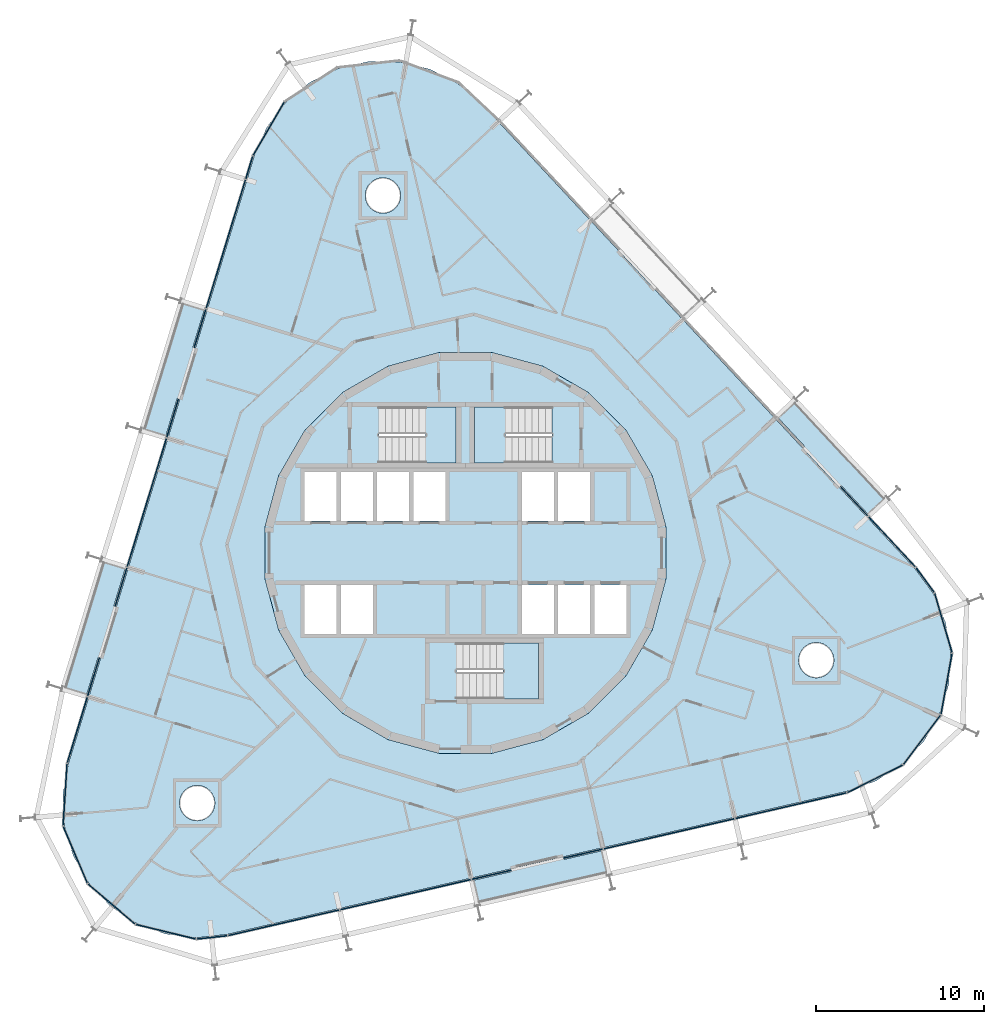
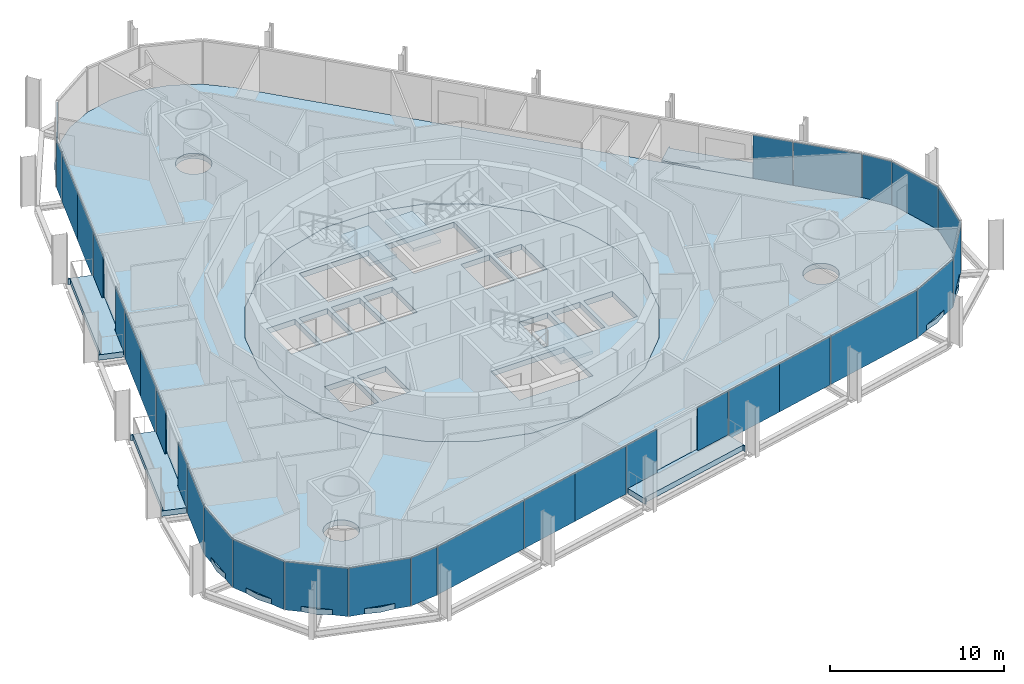
# One storey, part 10 of 18: 31 plates, 9 slabs, 9 elements without a shape of their own.
"""IFC4 building model written with IfcOpenShell, lengths in metres."""

from ifc_helpers import new_model, si_unit, direction, frame, origin, origin_2d, place, context, subcontext, project, spatial, polyline, rectangle, outline, extrude, material, layer, layer_set, type_object, element, aggregate, save


model = new_model("IFC4")

# Units and contexts
model_context = context("Model", 3, precision=1e-05, world=origin(), true_north=direction((0.0, 1.0)))
body_context = subcontext(model_context, "Body", "Model", "MODEL_VIEW")
ifc_project = project(units=[si_unit("LENGTHUNIT", "METRE"), si_unit("AREAUNIT", "SQUARE_METRE"), si_unit("VOLUMEUNIT", "CUBIC_METRE"), si_unit("PLANEANGLEUNIT", "RADIAN"), si_unit("MASSUNIT", "GRAM", prefix="KILO")], contexts=[model_context])

# Site, building, storey
site_placement = place(None, origin())
site = spatial("IfcSite", under=ifc_project, at=site_placement, CompositionType="ELEMENT")
building_placement = place(site_placement, origin())
building = spatial("IfcBuilding", under=site, at=building_placement, Name="Spindle Arch Residences", CompositionType="ELEMENT")
storey_placement = place(building_placement, frame((0.0, 0.0, 130.89990234375)))
storey = spatial("IfcBuildingStorey", under=building, at=storey_placement, Name="L32", CompositionType="ELEMENT", Elevation=130.89990234375)

# Slabs
ifc_material_1 = material(Name="Concrete C40/50", Category="concrete")
ifc_layer_1 = layer(ifc_material_1, 0.3798828125)
ifc_layer_set_1 = layer_set([ifc_layer_1], Name="Balcony slab 380")
slab_type_1 = type_object("IfcSlabType", Name="Balcony slab 380", PredefinedType="FLOOR", material=ifc_layer_set_1)
slab_1_placement = place(storey_placement, frame((0.0, 0.0, -0.3798828125)))
element("IfcSlab", 1, at=slab_1_placement, inside=storey, type_object=slab_type_1, Name="Balcony L32 bay 6", PredefinedType="FLOOR", context=body_context, shape_type="SweptSolid", body=[
    extrude(outline(polyline([(25.0107421875, 3.298095703125), (24.95947265625, 3.35302734375), (24.849853515625, 3.250732421875), (19.57861328125, 8.9033203125), (19.688232421875, 9.005615234375), (19.636962890625, 9.060546875), (18.54736328125, 8.04443359375), (20.142822265625, 6.333251953125), (20.02587890625, 6.22412109375), (22.208251953125, 3.8837890625), (22.325439453125, 3.992919921875), (23.9208984375, 2.281982421875), (25.0107421875, 3.298095703125)])), origin(), (0.0, 0.0, 1.0), 0.3798828125),
])
slab_2_placement = place(storey_placement, frame((0.0, 0.0, -0.3798828125)))
element("IfcSlab", 2, at=slab_2_placement, inside=storey, type_object=slab_type_1, Name="Balcony L32 bay 14", PredefinedType="FLOOR", context=body_context, shape_type="SweptSolid", body=[
    extrude(outline(polyline([(-16.926513671875, 14.891845703125), (-16.948486328125, 14.820068359375), (-16.804931640625, 14.7763671875), (-19.064697265625, 7.385009765625), (-19.208251953125, 7.4287109375), (-19.230224609375, 7.35693359375), (-17.80517578125, 6.92138671875), (-17.121337890625, 9.15869140625), (-16.96826171875, 9.112060546875), (-16.03271484375, 12.172119140625), (-16.185791015625, 12.218994140625), (-15.501708984375, 14.456298828125), (-16.926513671875, 14.891845703125)])), origin(), (0.0, 0.0, 1.0), 0.3798828125),
])
slab_3_placement = place(storey_placement, frame((0.0, 0.0, -0.3798828125)))
element("IfcSlab", 3, at=slab_3_placement, inside=storey, type_object=slab_type_1, Name="Balcony L32 bay 16", PredefinedType="FLOOR", context=body_context, shape_type="SweptSolid", body=[
    extrude(outline(polyline([(-21.62158203125, -0.46484375), (-21.6435546875, -0.536376953125), (-21.5, -0.580322265625), (-23.759765625, -7.9716796875), (-23.9033203125, -7.927978515625), (-23.92529296875, -7.999755859375), (-22.500244140625, -8.435302734375), (-21.816162109375, -6.197998046875), (-21.663330078125, -6.24462890625), (-20.727783203125, -3.1845703125), (-20.880615234375, -3.1376953125), (-20.196533203125, -0.900390625), (-21.62158203125, -0.46484375)])), origin(), (0.0, 0.0, 1.0), 0.3798828125),
])
slab_4_placement = place(storey_placement, frame((0.0, 0.0, -0.3798828125)))
element("IfcSlab", 4, at=slab_4_placement, inside=storey, type_object=slab_type_1, Name="Balcony L32 bay 22", PredefinedType="FLOOR", context=body_context, shape_type="SweptSolid", body=[
    extrude(outline(polyline([(0.781982421875, -20.900634765625), (0.855224609375, -20.8837890625), (0.821533203125, -20.737548828125), (8.3525390625, -18.9990234375), (8.38623046875, -19.14501953125), (8.459228515625, -19.128173828125), (8.1240234375, -17.676513671875), (5.844482421875, -18.20263671875), (5.80859375, -18.046875), (2.6904296875, -18.7666015625), (2.7265625, -18.922607421875), (0.447021484375, -19.44873046875), (0.781982421875, -20.900634765625)])), origin(), (0.0, 0.0, 1.0), 0.3798828125),
])
ifc_material_2 = material(Name="Concrete C50/60", Category="concrete")
ifc_layer_2 = layer(ifc_material_2, 0.3798828125)
ifc_layer_set_2 = layer_set([ifc_layer_2], Name="Core floor slab 380")
slab_type_2 = type_object("IfcSlabType", Name="Core floor slab 380", PredefinedType="FLOOR", material=ifc_layer_set_2)
slab_5_placement = place(storey_placement, frame((0.0, 0.0, -0.3798828125)))
element("IfcSlab", 5, at=slab_5_placement, inside=storey, type_object=slab_type_2, Name="Core floor L32", PredefinedType="FLOOR", context=body_context, shape_type="SweptSolid", body=[
    extrude(outline(polyline([(1.56640625, -11.897216796875), (4.59228515625, -11.086669921875), (7.30517578125, -9.520263671875), (9.520263671875, -7.30517578125), (11.086669921875, -4.59228515625), (11.897216796875, -1.56640625), (11.897216796875, 1.56640625), (11.086669921875, 4.59228515625), (9.520263671875, 7.30517578125), (7.30517578125, 9.520263671875), (4.59228515625, 11.086669921875), (1.56640625, 11.897216796875), (-1.56640625, 11.897216796875), (-4.59228515625, 11.086669921875), (-7.30517578125, 9.520263671875), (-9.520263671875, 7.30517578125), (-11.086669921875, 4.59228515625), (-11.897216796875, 1.56640625), (-11.897216796875, -1.56640625), (-11.086669921875, -4.59228515625), (-9.520263671875, -7.30517578125), (-7.30517578125, -9.520263671875), (-4.59228515625, -11.086669921875), (-1.56640625, -11.897216796875), (1.56640625, -11.897216796875)]), holes=[polyline([(-9.550048828125, 1.89990234375), (-7.64990234375, 1.89990234375), (-7.64990234375, 4.800048828125), (-9.550048828125, 4.800048828125), (-9.550048828125, 1.89990234375)]), polyline([(-7.39990234375, 1.89990234375), (-5.5, 1.89990234375), (-5.5, 4.800048828125), (-7.39990234375, 4.800048828125), (-7.39990234375, 1.89990234375)]), polyline([(-5.25, 1.89990234375), (-3.35009765625, 1.89990234375), (-3.35009765625, 4.800048828125), (-5.25, 4.800048828125), (-5.25, 1.89990234375)]), polyline([(-3.10009765625, 1.89990234375), (-1.199951171875, 1.89990234375), (-1.199951171875, 4.800048828125), (-3.10009765625, 4.800048828125), (-3.10009765625, 1.89990234375)]), polyline([(3.35009765625, 1.89990234375), (5.25, 1.89990234375), (5.25, 4.800048828125), (3.35009765625, 4.800048828125), (3.35009765625, 1.89990234375)]), polyline([(5.5, 1.89990234375), (7.39990234375, 1.89990234375), (7.39990234375, 4.800048828125), (5.5, 4.800048828125), (5.5, 1.89990234375)]), polyline([(-9.550048828125, -4.800048828125), (-7.64990234375, -4.800048828125), (-7.64990234375, -1.89990234375), (-9.550048828125, -1.89990234375), (-9.550048828125, -4.800048828125)]), polyline([(-7.39990234375, -4.800048828125), (-5.5, -4.800048828125), (-5.5, -1.89990234375), (-7.39990234375, -1.89990234375), (-7.39990234375, -4.800048828125)]), polyline([(3.35009765625, -4.800048828125), (5.25, -4.800048828125), (5.25, -1.89990234375), (3.35009765625, -1.89990234375), (3.35009765625, -4.800048828125)]), polyline([(5.5, -4.800048828125), (7.39990234375, -4.800048828125), (7.39990234375, -1.89990234375), (5.5, -1.89990234375), (5.5, -4.800048828125)]), polyline([(7.64990234375, -4.800048828125), (9.550048828125, -4.800048828125), (9.550048828125, -1.89990234375), (7.64990234375, -1.89990234375), (7.64990234375, -4.800048828125)]), polyline([(5.1298828125, 8.669921875), (0.550048828125, 8.669921875), (0.550048828125, 5.35009765625), (5.1298828125, 5.35009765625), (5.1298828125, 8.669921875)]), polyline([(-5.1298828125, 5.35009765625), (-0.550048828125, 5.35009765625), (-0.550048828125, 8.669921875), (-5.1298828125, 8.669921875), (-5.1298828125, 5.35009765625)]), polyline([(-0.530029296875, -8.669921875), (4.35009765625, -8.669921875), (4.35009765625, -5.35009765625), (-0.530029296875, -5.35009765625), (-0.530029296875, -8.669921875)])]), origin(), (0.0, 0.0, 1.0), 0.3798828125),
])

# Stair, slab
ifc_material_3 = material(Name="Concrete C50/60", Category="concrete")
stair_type = type_object("IfcStairType", Name="Exit stair 16 risers", PredefinedType="HALF_TURN_STAIR", material=ifc_material_3)
stair_1_placement = place(storey_placement, origin())
stair_1 = element("IfcStair", 6, at=stair_1_placement, inside=storey, type_object=stair_type, Name="L32 Exit stair ST1", PredefinedType="HALF_TURN_STAIR")
ifc_material_4 = material(Name="Concrete C50/60", Category="concrete")
ifc_layer_3 = layer(ifc_material_4, 0.219970703125)
ifc_layer_set_3 = layer_set([ifc_layer_3], Name="Exit stair landing 220")
slab_type_3 = type_object("IfcSlabType", Name="Exit stair landing 220", PredefinedType="LANDING", material=ifc_layer_set_3)
slab_6_placement = place(storey_placement, frame((0.0, 0.0, 1.530029296875)))
slab_6 = element("IfcSlab", 7, at=slab_6_placement, type_object=slab_type_3, Name="ST1 landing 1", PredefinedType="LANDING", context=body_context, shape_type="SweptSolid", body=[
    extrude(outline(polyline([(2.3701171875, 8.669921875), (0.550048828125, 8.669921875), (0.550048828125, 5.35009765625), (2.3701171875, 5.35009765625), (2.3701171875, 8.669921875)])), origin(), (0.0, 0.0, 1.0), 0.219970703125),
])
aggregate(stair_1, [slab_6])

stair_2_placement = place(storey_placement, origin())
stair_2 = element("IfcStair", 8, at=stair_2_placement, inside=storey, type_object=stair_type, Name="L32 Exit stair ST2", PredefinedType="HALF_TURN_STAIR")
slab_7_placement = place(storey_placement, frame((0.0, 0.0, 1.530029296875)))
slab_7 = element("IfcSlab", 9, at=slab_7_placement, type_object=slab_type_3, Name="ST2 landing 1", PredefinedType="LANDING", context=body_context, shape_type="SweptSolid", body=[
    extrude(outline(polyline([(-2.3701171875, 5.35009765625), (-0.550048828125, 5.35009765625), (-0.550048828125, 8.669921875), (-2.3701171875, 8.669921875), (-2.3701171875, 5.35009765625)])), origin(), (0.0, 0.0, 1.0), 0.219970703125),
])
aggregate(stair_2, [slab_7])

stair_3_placement = place(storey_placement, origin())
stair_3 = element("IfcStair", 10, at=stair_3_placement, inside=storey, type_object=stair_type, Name="L32 Exit stair ST3", PredefinedType="HALF_TURN_STAIR")
slab_8_placement = place(storey_placement, frame((0.0, 0.0, 1.530029296875)))
slab_8 = element("IfcSlab", 11, at=slab_8_placement, type_object=slab_type_3, Name="ST3 landing 1", PredefinedType="LANDING", context=body_context, shape_type="SweptSolid", body=[
    extrude(outline(polyline([(2.22998046875, -8.669921875), (4.35009765625, -8.669921875), (4.35009765625, -5.35009765625), (2.22998046875, -5.35009765625), (2.22998046875, -8.669921875)])), origin(), (0.0, 0.0, 1.0), 0.219970703125),
])
aggregate(stair_3, [slab_8])

# Slab
ifc_material_5 = material(Name="Concrete C40/50", Category="concrete")
ifc_layer_4 = layer(ifc_material_5, 0.3798828125)
ifc_layer_set_4 = layer_set([ifc_layer_4], Name="Floor slab 380")
slab_type_4 = type_object("IfcSlabType", Name="Floor slab 380", PredefinedType="FLOOR", material=ifc_layer_set_4)
slab_9_placement = place(storey_placement, frame((0.0, 0.0, -0.3798828125)))
element("IfcSlab", 12, at=slab_9_placement, inside=storey, type_object=slab_type_4, Name="Floor slab L32", PredefinedType="FLOOR", context=body_context, shape_type="SweptSolid", body=[
    extrude(outline(polyline([(-15.976806640625, -22.85498046875), (-17.8203125, -22.628662109375), (-19.56201171875, -21.983154296875), (-21.108154296875, -20.95361328125), (-22.375, -19.594970703125), (-23.294189453125, -17.98095703125), (-23.816650390625, -16.198486328125), (-23.913818359375, -14.343505859375), (-23.58056640625, -12.51611328125), (-12.55029296875, 23.5625), (-11.8046875, 25.263916015625), (-10.686767578125, 26.747314453125), (-9.257080078125, 27.932861328125), (-7.59228515625, 28.7568359375), (-5.7822265625, 29.1748046875), (-3.9248046875, 29.163818359375), (-2.1201171875, 28.72509765625), (-0.465087890625, 27.881591796875), (0.950927734375, 26.679443359375), (26.680908203125, -0.912353515625), (27.781494140625, -2.40869140625), (28.507080078125, -4.11865234375), (28.819091796875, -5.94970703125), (28.7001953125, -7.803466796875), (28.1572265625, -9.57958984375), (27.218994140625, -11.182861328125), (25.9365234375, -12.526611328125), (24.37890625, -13.5380859375), (22.629638671875, -14.163330078125), (4.24951171875, -18.40673828125), (-14.130615234375, -22.650146484375), (-15.976806640625, -22.85498046875)]), holes=[polyline([(7.30517578125, -9.520263671875), (9.520263671875, -7.30517578125), (11.086669921875, -4.59228515625), (11.897216796875, -1.56640625), (11.897216796875, 1.56640625), (11.086669921875, 4.59228515625), (9.520263671875, 7.30517578125), (7.30517578125, 9.520263671875), (4.59228515625, 11.086669921875), (1.56640625, 11.897216796875), (-1.56640625, 11.897216796875), (-4.59228515625, 11.086669921875), (-7.30517578125, 9.520263671875), (-9.520263671875, 7.30517578125), (-11.086669921875, 4.59228515625), (-11.897216796875, 1.56640625), (-11.897216796875, -1.56640625), (-11.086669921875, -4.59228515625), (-9.520263671875, -7.30517578125), (-7.30517578125, -9.520263671875), (-4.59228515625, -11.086669921875), (-1.56640625, -11.897216796875), (1.56640625, -11.897216796875), (4.59228515625, -11.086669921875), (7.30517578125, -9.520263671875)]), polyline([(-15.187744140625, -15.59765625), (-15.05712890625, -15.4384765625), (-14.960205078125, -15.257080078125), (-14.900390625, -15.06005859375), (-14.880126953125, -14.855224609375), (-14.900390625, -14.650390625), (-14.960205078125, -14.453369140625), (-15.05712890625, -14.27197265625), (-15.187744140625, -14.11279296875), (-15.346923828125, -13.982177734375), (-15.5283203125, -13.885009765625), (-15.725341796875, -13.825439453125), (-15.93017578125, -13.80517578125), (-16.135009765625, -13.825439453125), (-16.33203125, -13.885009765625), (-16.513427734375, -13.982177734375), (-16.672607421875, -14.11279296875), (-16.80322265625, -14.27197265625), (-16.900390625, -14.453369140625), (-16.9599609375, -14.650390625), (-16.980224609375, -14.855224609375), (-16.9599609375, -15.06005859375), (-16.900390625, -15.257080078125), (-16.80322265625, -15.4384765625), (-16.672607421875, -15.59765625), (-16.513427734375, -15.728271484375), (-16.33203125, -15.8251953125), (-16.135009765625, -15.885009765625), (-15.93017578125, -15.9052734375), (-15.725341796875, -15.885009765625), (-15.5283203125, -15.8251953125), (-15.346923828125, -15.728271484375), (-15.187744140625, -15.59765625)]), polyline([(-4.02685546875, 20.64013671875), (-3.9296875, 20.82177734375), (-3.8701171875, 21.018798828125), (-3.849853515625, 21.223388671875), (-3.8701171875, 21.42822265625), (-3.9296875, 21.625244140625), (-4.02685546875, 21.806884765625), (-4.1572265625, 21.966064453125), (-4.31640625, 22.096435546875), (-4.498046875, 22.193603515625), (-4.695068359375, 22.25341796875), (-4.89990234375, 22.2734375), (-5.1044921875, 22.25341796875), (-5.301513671875, 22.193603515625), (-5.483154296875, 22.096435546875), (-5.642333984375, 21.966064453125), (-5.772705078125, 21.806884765625), (-5.869873046875, 21.625244140625), (-5.9296875, 21.42822265625), (-5.94970703125, 21.223388671875), (-5.9296875, 21.018798828125), (-5.869873046875, 20.82177734375), (-5.772705078125, 20.64013671875), (-5.642333984375, 20.48095703125), (-5.483154296875, 20.3505859375), (-5.301513671875, 20.25341796875), (-5.1044921875, 20.193603515625), (-4.89990234375, 20.173583984375), (-4.695068359375, 20.193603515625), (-4.498046875, 20.25341796875), (-4.31640625, 20.3505859375), (-4.1572265625, 20.48095703125), (-4.02685546875, 20.64013671875)]), polyline([(21.702880859375, -6.95166015625), (21.800048828125, -6.770263671875), (21.85986328125, -6.5732421875), (21.8798828125, -6.368408203125), (21.85986328125, -6.16357421875), (21.800048828125, -5.966552734375), (21.702880859375, -5.78515625), (21.572509765625, -5.6259765625), (21.413330078125, -5.495361328125), (21.231689453125, -5.398193359375), (21.034912109375, -5.338623046875), (20.830078125, -5.318359375), (20.625244140625, -5.338623046875), (20.42822265625, -5.398193359375), (20.24658203125, -5.495361328125), (20.08740234375, -5.6259765625), (19.95703125, -5.78515625), (19.85986328125, -5.966552734375), (19.80029296875, -6.16357421875), (19.780029296875, -6.368408203125), (19.80029296875, -6.5732421875), (19.85986328125, -6.770263671875), (19.95703125, -6.95166015625), (20.08740234375, -7.11083984375), (20.24658203125, -7.241455078125), (20.42822265625, -7.33837890625), (20.625244140625, -7.398193359375), (20.830078125, -7.41845703125), (21.034912109375, -7.398193359375), (21.231689453125, -7.33837890625), (21.413330078125, -7.241455078125), (21.572509765625, -7.11083984375), (21.702880859375, -6.95166015625)])]), origin(), (0.0, 0.0, 1.0), 0.3798828125),
])

# Curtain wall, plates
ifc_material_6 = material(Name="Aluminium bronze unitised frame with tinted glass", Category="aluminium")
ifc_layer_5 = layer(ifc_material_6, 0.159912109375)
ifc_layer_set_5 = layer_set([ifc_layer_5], Name="CW-D corner wall on the fillet arcs")
curtain_wall_type_1 = type_object("IfcCurtainWallType", Name="CW-D corner wall on the fillet arcs", PredefinedType="NOTDEFINED", material=ifc_layer_set_5)
curtain_wall_1_placement = place(storey_placement, origin())
curtain_wall_1 = element("IfcCurtainWall", 13, at=curtain_wall_1_placement, inside=storey, type_object=curtain_wall_type_1, Name="CW-D L32 run 1", PredefinedType="NOTDEFINED")
ifc_material_7 = material(Name="Tinted double glazing over aluminium faced non-combustible spandrel zone (K0)", Category="aluminium")
ifc_layer_6 = layer(ifc_material_7, 0.06005859375)
ifc_layer_set_6 = layer_set([ifc_layer_6], Name="Unitised glass panel with E 60 spandrel zone")
plate_type = type_object("IfcPlateType", Name="Unitised glass panel with E 60 spandrel zone", PredefinedType="CURTAIN_PANEL", material=ifc_layer_set_6)
plate_1_placement = place(storey_placement, frame((19.3251953125, -15.00830078125, -0.3798828125), z_axis=(0.0, 0.0, 1.0), x_axis=(0.974370064785, 0.224951054344, 0.0)))
plate_1 = element("IfcPlate", 14, at=plate_1_placement, type_object=plate_type, Name="CW-D unit 00", PredefinedType="CURTAIN_PANEL", context=body_context, shape_type="SweptSolid", body=[
    extrude(rectangle(XDim=6.759765625, YDim=0.06005859375, at=origin_2d()), origin(), (0.0, 0.0, 1.0), 3.3798828125),
])
plate_2_placement = place(storey_placement, frame((24.317626953125, -13.414794921875, -0.3798828125), z_axis=(0.0, 0.0, 1.0), x_axis=(0.896228507614, 0.443592675931, 0.0)))
plate_2 = element("IfcPlate", 15, at=plate_2_placement, type_object=plate_type, Name="CW-D unit 01", PredefinedType="CURTAIN_PANEL", context=body_context, shape_type="SweptSolid", body=[
    extrude(rectangle(XDim=3.666748046875, YDim=0.06005859375, at=origin_2d()), origin(), (0.0, 0.0, 1.0), 3.3798828125),
])
plate_3_placement = place(storey_placement, frame((27.109130859375, -11.099853515625, -0.3798828125), z_axis=(0.0, 0.0, 1.0), x_axis=(0.601815021814, 0.798635511056, 0.0)))
plate_3 = element("IfcPlate", 16, at=plate_3_placement, type_object=plate_type, Name="CW-D unit 02", PredefinedType="CURTAIN_PANEL", context=body_context, shape_type="SweptSolid", body=[
    extrude(rectangle(XDim=3.666748046875, YDim=0.06005859375, at=origin_2d()), origin(), (0.0, 0.0, 1.0), 3.3798828125),
])
plate_4_placement = place(storey_placement, frame((28.564697265625, -7.778564453125, -0.3798828125), z_axis=(0.0, 0.0, 1.0), x_axis=(0.17937458782, 0.983780848179, 0.0)))
plate_4 = element("IfcPlate", 17, at=plate_4_placement, type_object=plate_type, Name="CW-D unit 03", PredefinedType="CURTAIN_PANEL", context=body_context, shape_type="SweptSolid", body=[
    extrude(rectangle(XDim=3.666748046875, YDim=0.06005859375, at=origin_2d()), origin(), (0.0, 0.0, 1.0), 3.3798828125),
])
plate_5_placement = place(storey_placement, frame((28.375, -4.1572265625, -0.3798828125), z_axis=(0.0, 0.0, 1.0), x_axis=(-0.281225052549, 0.959641844554, 0.0)))
plate_5 = element("IfcPlate", 18, at=plate_5_placement, type_object=plate_type, Name="CW-D unit 04", PredefinedType="CURTAIN_PANEL", context=body_context, shape_type="SweptSolid", body=[
    extrude(rectangle(XDim=3.666748046875, YDim=0.06005859375, at=origin_2d()), origin(), (0.0, 0.0, 1.0), 3.3798828125),
])
plate_6_placement = place(storey_placement, frame((27.295166015625, -1.613525390625, -0.3798828125), z_axis=(0.0, 0.0, 1.0), x_axis=(-0.592481951039, 0.805583724819, 0.0)))
plate_6 = element("IfcPlate", 19, at=plate_6_placement, type_object=plate_type, Name="CW-D unit 05", PredefinedType="CURTAIN_PANEL", context=body_context, shape_type="SweptSolid", body=[
    extrude(rectangle(XDim=1.816162109375, YDim=0.06005859375, at=origin_2d()), origin(), (0.0, 0.0, 1.0), 3.3798828125),
])
plate_7_placement = place(storey_placement, frame((25.326416015625, 0.6572265625, -0.3798828125), z_axis=(0.0, 0.0, 1.0), x_axis=(-0.681998360062, 0.731353701619, 0.0)))
plate_7 = element("IfcPlate", 20, at=plate_7_placement, type_object=plate_type, Name="CW-D unit 06", PredefinedType="CURTAIN_PANEL", context=body_context, shape_type="SweptSolid", body=[
    extrude(rectangle(XDim=4.08349609375, YDim=0.06005859375, at=origin_2d()), origin(), (0.0, 0.0, 1.0), 3.3798828125),
])
aggregate(curtain_wall_1, [plate_1, plate_2, plate_3, plate_4, plate_5, plate_6, plate_7])

# Curtain wall, plate
ifc_material_8 = material(Name="Aluminium bronze unitised frame with tinted glass", Category="aluminium")
ifc_layer_7 = layer(ifc_material_8, 0.159912109375)
ifc_layer_set_7 = layer_set([ifc_layer_7], Name="CW-C typical residential unitised wall")
curtain_wall_type_2 = type_object("IfcCurtainWallType", Name="CW-C typical residential unitised wall", PredefinedType="NOTDEFINED", material=ifc_layer_set_7)
curtain_wall_2_placement = place(storey_placement, origin())
curtain_wall_2 = element("IfcCurtainWall", 21, at=curtain_wall_2_placement, inside=storey, type_object=curtain_wall_type_2, Name="CW-C L32 run 2", PredefinedType="NOTDEFINED")
plate_8_placement = place(storey_placement, frame((23.079833984375, 3.06640625, -0.3798828125), z_axis=(0.0, 0.0, 1.0), x_axis=(-0.681998360062, 0.731353701619, 0.0)))
plate_8 = element("IfcPlate", 22, at=plate_8_placement, type_object=plate_type, Name="CW-C unit 05L", PredefinedType="CURTAIN_PANEL", context=body_context, shape_type="SweptSolid", body=[
    extrude(rectangle(XDim=2.384521484375, YDim=0.06005859375, at=origin_2d()), origin(), (0.0, 0.0, 1.0), 3.3798828125),
])
aggregate(curtain_wall_2, [plate_8])

# Curtain wall, plates
curtain_wall_3_placement = place(storey_placement, origin())
curtain_wall_3 = element("IfcCurtainWall", 23, at=curtain_wall_3_placement, inside=storey, type_object=curtain_wall_type_1, Name="CW-D L32 run 3", PredefinedType="NOTDEFINED")
plate_9_placement = place(storey_placement, frame((-11.685791015625, 25.194091796875, -0.3798828125), z_axis=(0.0, 0.0, 1.0), x_axis=(-0.505029844161, -0.863101880723, 0.0)))
plate_9 = element("IfcPlate", 24, at=plate_9_placement, type_object=plate_type, Name="CW-D unit 04", PredefinedType="CURTAIN_PANEL", context=body_context, shape_type="SweptSolid", body=[
    extrude(rectangle(XDim=3.666748046875, YDim=0.06005859375, at=origin_2d()), origin(), (0.0, 0.0, 1.0), 3.3798828125),
])
plate_10_placement = place(storey_placement, frame((-12.84130859375, 22.884521484375, -0.3798828125), z_axis=(0.0, 0.0, 1.0), x_axis=(-0.292371704723, -0.956304755963, 0.0)))
plate_10 = element("IfcPlate", 25, at=plate_10_placement, type_object=plate_type, Name="CW-D unit 05", PredefinedType="CURTAIN_PANEL", context=body_context, shape_type="SweptSolid", body=[
    extrude(rectangle(XDim=1.406982421875, YDim=0.06005859375, at=origin_2d()), origin(), (0.0, 0.0, 1.0), 3.3798828125),
])
aggregate(curtain_wall_3, [plate_9, plate_10])

curtain_wall_4_placement = place(storey_placement, origin())
curtain_wall_4 = element("IfcCurtainWall", 26, at=curtain_wall_4_placement, inside=storey, type_object=curtain_wall_type_2, Name="CW-C L32 run 4", PredefinedType="NOTDEFINED")
plate_11_placement = place(storey_placement, frame((-13.64697265625, 20.2490234375, -0.3798828125), z_axis=(0.0, 0.0, 1.0), x_axis=(-0.292371704723, -0.956304755963, 0.0)))
plate_11 = element("IfcPlate", 27, at=plate_11_placement, type_object=plate_type, Name="CW-C unit 12A", PredefinedType="CURTAIN_PANEL", context=body_context, shape_type="SweptSolid", body=[
    extrude(rectangle(XDim=3.984619140625, YDim=0.06005859375, at=origin_2d()), origin(), (0.0, 0.0, 1.0), 3.3798828125),
])
plate_12_placement = place(storey_placement, frame((-14.81201171875, 16.4384765625, -0.3798828125), z_axis=(0.0, 0.0, 1.0), x_axis=(-0.292371704723, -0.956304755963, 0.0)))
plate_12 = element("IfcPlate", 28, at=plate_12_placement, type_object=plate_type, Name="CW-C unit 12B", PredefinedType="CURTAIN_PANEL", context=body_context, shape_type="SweptSolid", body=[
    extrude(rectangle(XDim=3.984619140625, YDim=0.06005859375, at=origin_2d()), origin(), (0.0, 0.0, 1.0), 3.3798828125),
])
plate_13_placement = place(storey_placement, frame((-15.760498046875, 13.335693359375, -0.3798828125), z_axis=(0.0, 0.0, 1.0), x_axis=(-0.292371704723, -0.956304755963, 0.0)))
plate_13 = element("IfcPlate", 29, at=plate_13_placement, type_object=plate_type, Name="CW-C unit 13L", PredefinedType="CURTAIN_PANEL", context=body_context, shape_type="SweptSolid", body=[
    extrude(rectangle(XDim=2.384521484375, YDim=0.06005859375, at=origin_2d()), origin(), (0.0, 0.0, 1.0), 3.3798828125),
])
plate_14_placement = place(storey_placement, frame((-17.393310546875, 7.9951171875, -0.3798828125), z_axis=(0.0, 0.0, 1.0), x_axis=(-0.292371704723, -0.956304755963, 0.0)))
plate_14 = element("IfcPlate", 30, at=plate_14_placement, type_object=plate_type, Name="CW-C unit 13R", PredefinedType="CURTAIN_PANEL", context=body_context, shape_type="SweptSolid", body=[
    extrude(rectangle(XDim=2.384521484375, YDim=0.06005859375, at=origin_2d()), origin(), (0.0, 0.0, 1.0), 3.3798828125),
])
plate_15_placement = place(storey_placement, frame((-18.342041015625, 4.892333984375, -0.3798828125), z_axis=(0.0, 0.0, 1.0), x_axis=(-0.292371704723, -0.956304755963, 0.0)))
plate_15 = element("IfcPlate", 31, at=plate_15_placement, type_object=plate_type, Name="CW-C unit 14A", PredefinedType="CURTAIN_PANEL", context=body_context, shape_type="SweptSolid", body=[
    extrude(rectangle(XDim=3.984619140625, YDim=0.06005859375, at=origin_2d()), origin(), (0.0, 0.0, 1.0), 3.3798828125),
])
plate_16_placement = place(storey_placement, frame((-19.5068359375, 1.081787109375, -0.3798828125), z_axis=(0.0, 0.0, 1.0), x_axis=(-0.292371704723, -0.956304755963, 0.0)))
plate_16 = element("IfcPlate", 32, at=plate_16_placement, type_object=plate_type, Name="CW-C unit 14B", PredefinedType="CURTAIN_PANEL", context=body_context, shape_type="SweptSolid", body=[
    extrude(rectangle(XDim=3.984619140625, YDim=0.06005859375, at=origin_2d()), origin(), (0.0, 0.0, 1.0), 3.3798828125),
])
plate_17_placement = place(storey_placement, frame((-20.45556640625, -2.02099609375, -0.3798828125), z_axis=(0.0, 0.0, 1.0), x_axis=(-0.292371704723, -0.956304755963, 0.0)))
plate_17 = element("IfcPlate", 33, at=plate_17_placement, type_object=plate_type, Name="CW-C unit 15L", PredefinedType="CURTAIN_PANEL", context=body_context, shape_type="SweptSolid", body=[
    extrude(rectangle(XDim=2.384521484375, YDim=0.06005859375, at=origin_2d()), origin(), (0.0, 0.0, 1.0), 3.3798828125),
])
plate_18_placement = place(storey_placement, frame((-22.08837890625, -7.361572265625, -0.3798828125), z_axis=(0.0, 0.0, 1.0), x_axis=(-0.292371704723, -0.956304755963, 0.0)))
plate_18 = element("IfcPlate", 34, at=plate_18_placement, type_object=plate_type, Name="CW-C unit 15R", PredefinedType="CURTAIN_PANEL", context=body_context, shape_type="SweptSolid", body=[
    extrude(rectangle(XDim=2.384521484375, YDim=0.06005859375, at=origin_2d()), origin(), (0.0, 0.0, 1.0), 3.3798828125),
])
aggregate(curtain_wall_4, [plate_11, plate_12, plate_13, plate_14, plate_15, plate_16, plate_17, plate_18])

curtain_wall_5_placement = place(storey_placement, origin())
curtain_wall_5 = element("IfcCurtainWall", 35, at=curtain_wall_5_placement, inside=storey, type_object=curtain_wall_type_1, Name="CW-D L32 run 5", PredefinedType="NOTDEFINED")
plate_19_placement = place(storey_placement, frame((-23.051513671875, -10.511474609375, -0.3798828125), z_axis=(0.0, 0.0, 1.0), x_axis=(-0.292371704723, -0.956304755963, 0.0)))
plate_19 = element("IfcPlate", 36, at=plate_19_placement, type_object=plate_type, Name="CW-D unit 00", PredefinedType="CURTAIN_PANEL", context=body_context, shape_type="SweptSolid", body=[
    extrude(rectangle(XDim=4.08349609375, YDim=0.06005859375, at=origin_2d()), origin(), (0.0, 0.0, 1.0), 3.3798828125),
])
plate_20_placement = place(storey_placement, frame((-23.7763671875, -14.352294921875, -0.3798828125), z_axis=(0.0, 0.0, 1.0), x_axis=(-0.063951729226, -0.997952993046, 0.0)))
plate_20 = element("IfcPlate", 37, at=plate_20_placement, type_object=plate_type, Name="CW-D unit 01", PredefinedType="CURTAIN_PANEL", context=body_context, shape_type="SweptSolid", body=[
    extrude(rectangle(XDim=3.666748046875, YDim=0.06005859375, at=origin_2d()), origin(), (0.0, 0.0, 1.0), 3.3798828125),
])
plate_21_placement = place(storey_placement, frame((-23.16748046875, -17.92724609375, -0.3798828125), z_axis=(0.0, 0.0, 1.0), x_axis=(0.390731127124, -0.920504854032, 0.0)))
plate_21 = element("IfcPlate", 38, at=plate_21_placement, type_object=plate_type, Name="CW-D unit 02", PredefinedType="CURTAIN_PANEL", context=body_context, shape_type="SweptSolid", body=[
    extrude(rectangle(XDim=3.666748046875, YDim=0.06005859375, at=origin_2d()), origin(), (0.0, 0.0, 1.0), 3.3798828125),
])
plate_22_placement = place(storey_placement, frame((-21.018798828125, -20.848388671875, -0.3798828125), z_axis=(0.0, 0.0, 1.0), x_axis=(0.762291912042, -0.647233374321, 0.0)))
plate_22 = element("IfcPlate", 39, at=plate_22_placement, type_object=plate_type, Name="CW-D unit 03", PredefinedType="CURTAIN_PANEL", context=body_context, shape_type="SweptSolid", body=[
    extrude(rectangle(XDim=3.666748046875, YDim=0.06005859375, at=origin_2d()), origin(), (0.0, 0.0, 1.0), 3.3798828125),
])
plate_23_placement = place(storey_placement, frame((-17.787841796875, -22.49462890625, -0.3798828125), z_axis=(0.0, 0.0, 1.0), x_axis=(0.971686742139, -0.23627288281, 0.0)))
plate_23 = element("IfcPlate", 40, at=plate_23_placement, type_object=plate_type, Name="CW-D unit 04", PredefinedType="CURTAIN_PANEL", context=body_context, shape_type="SweptSolid", body=[
    extrude(rectangle(XDim=3.666748046875, YDim=0.06005859375, at=origin_2d()), origin(), (0.0, 0.0, 1.0), 3.3798828125),
])
plate_24_placement = place(storey_placement, frame((-15.044921875, -22.83154296875, -0.3798828125), z_axis=(0.0, 0.0, 1.0), x_axis=(0.993896946542, 0.110312554381, 0.0)))
plate_24 = element("IfcPlate", 41, at=plate_24_placement, type_object=plate_type, Name="CW-D unit 05", PredefinedType="CURTAIN_PANEL", context=body_context, shape_type="SweptSolid", body=[
    extrude(rectangle(XDim=1.816162109375, YDim=0.06005859375, at=origin_2d()), origin(), (0.0, 0.0, 1.0), 3.3798828125),
])
plate_25_placement = place(storey_placement, frame((-10.7900390625, -21.9609375, -0.3798828125), z_axis=(0.0, 0.0, 1.0), x_axis=(0.974370064785, 0.224951054344, 0.0)))
plate_25 = element("IfcPlate", 42, at=plate_25_placement, type_object=plate_type, Name="CW-D unit 06", PredefinedType="CURTAIN_PANEL", context=body_context, shape_type="SweptSolid", body=[
    extrude(rectangle(XDim=6.759765625, YDim=0.06005859375, at=origin_2d()), origin(), (0.0, 0.0, 1.0), 3.3798828125),
])
aggregate(curtain_wall_5, [plate_19, plate_20, plate_21, plate_22, plate_23, plate_24, plate_25])

curtain_wall_6_placement = place(storey_placement, origin())
curtain_wall_6 = element("IfcCurtainWall", 43, at=curtain_wall_6_placement, inside=storey, type_object=curtain_wall_type_2, Name="CW-C L32 run 6", PredefinedType="NOTDEFINED")
plate_26_placement = place(storey_placement, frame((-5.4970703125, -20.739013671875, -0.3798828125), z_axis=(0.0, 0.0, 1.0), x_axis=(0.974370064785, 0.224951054344, 0.0)))
plate_26 = element("IfcPlate", 44, at=plate_26_placement, type_object=plate_type, Name="CW-C unit 20A", PredefinedType="CURTAIN_PANEL", context=body_context, shape_type="SweptSolid", body=[
    extrude(rectangle(XDim=3.984619140625, YDim=0.06005859375, at=origin_2d()), origin(), (0.0, 0.0, 1.0), 3.3798828125),
])
plate_27_placement = place(storey_placement, frame((-1.61474609375, -19.8427734375, -0.3798828125), z_axis=(0.0, 0.0, 1.0), x_axis=(0.974370064785, 0.224951054344, 0.0)))
plate_27 = element("IfcPlate", 45, at=plate_27_placement, type_object=plate_type, Name="CW-C unit 20B", PredefinedType="CURTAIN_PANEL", context=body_context, shape_type="SweptSolid", body=[
    extrude(rectangle(XDim=3.984619140625, YDim=0.06005859375, at=origin_2d()), origin(), (0.0, 0.0, 1.0), 3.3798828125),
])
plate_28_placement = place(storey_placement, frame((1.546875, -19.11279296875, -0.3798828125), z_axis=(0.0, 0.0, 1.0), x_axis=(0.974370064785, 0.224951054344, 0.0)))
plate_28 = element("IfcPlate", 46, at=plate_28_placement, type_object=plate_type, Name="CW-C unit 21L", PredefinedType="CURTAIN_PANEL", context=body_context, shape_type="SweptSolid", body=[
    extrude(rectangle(XDim=2.384521484375, YDim=0.06005859375, at=origin_2d()), origin(), (0.0, 0.0, 1.0), 3.3798828125),
])
plate_29_placement = place(storey_placement, frame((6.98828125, -17.8564453125, -0.3798828125), z_axis=(0.0, 0.0, 1.0), x_axis=(0.974370064785, 0.224951054344, 0.0)))
plate_29 = element("IfcPlate", 47, at=plate_29_placement, type_object=plate_type, Name="CW-C unit 21R", PredefinedType="CURTAIN_PANEL", context=body_context, shape_type="SweptSolid", body=[
    extrude(rectangle(XDim=2.384521484375, YDim=0.06005859375, at=origin_2d()), origin(), (0.0, 0.0, 1.0), 3.3798828125),
])
plate_30_placement = place(storey_placement, frame((10.149658203125, -17.126708984375, -0.3798828125), z_axis=(0.0, 0.0, 1.0), x_axis=(0.974370064785, 0.224951054344, 0.0)))
plate_30 = element("IfcPlate", 48, at=plate_30_placement, type_object=plate_type, Name="CW-C unit 00A", PredefinedType="CURTAIN_PANEL", context=body_context, shape_type="SweptSolid", body=[
    extrude(rectangle(XDim=3.984619140625, YDim=0.06005859375, at=origin_2d()), origin(), (0.0, 0.0, 1.0), 3.3798828125),
])
plate_31_placement = place(storey_placement, frame((14.0322265625, -16.230224609375, -0.3798828125), z_axis=(0.0, 0.0, 1.0), x_axis=(0.974370064785, 0.224951054344, 0.0)))
plate_31 = element("IfcPlate", 49, at=plate_31_placement, type_object=plate_type, Name="CW-C unit 00B", PredefinedType="CURTAIN_PANEL", context=body_context, shape_type="SweptSolid", body=[
    extrude(rectangle(XDim=3.984619140625, YDim=0.06005859375, at=origin_2d()), origin(), (0.0, 0.0, 1.0), 3.3798828125),
])
aggregate(curtain_wall_6, [plate_26, plate_27, plate_28, plate_29, plate_30, plate_31])

save(model, "model.ifc")
